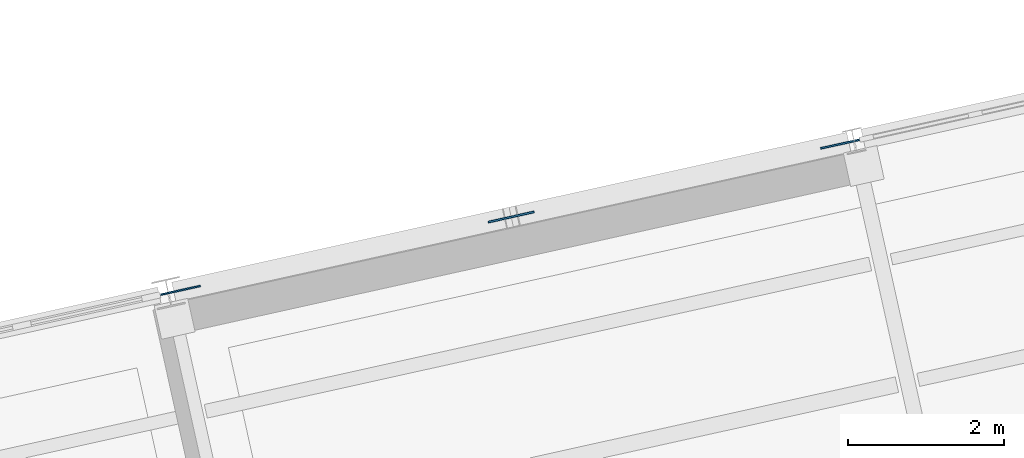
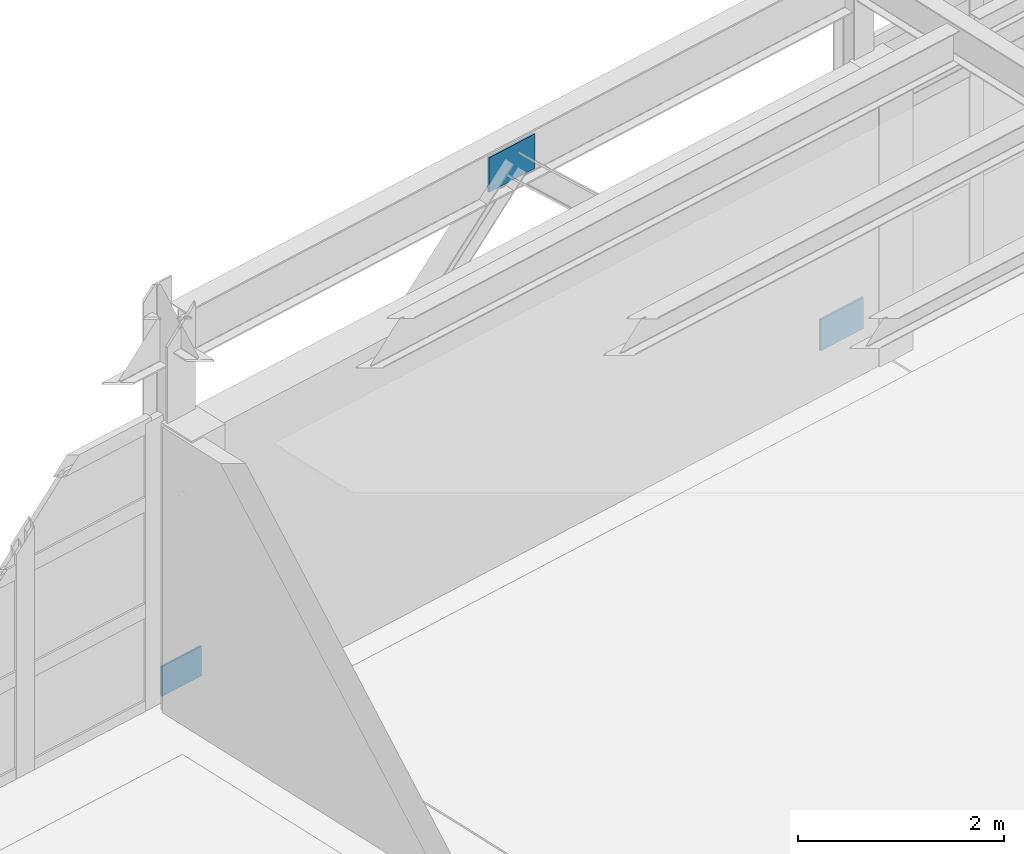
# One storey, part 89 of 109: 3 plates.
"""IFC4 building model written with IfcOpenShell, lengths in metres."""

from ifc_helpers import new_model, si_unit, direction, frame, origin, origin_2d, place, context, subcontext, project, spatial, rectangle, extrude, material, layer, layer_set, type_object, element, save


model = new_model("IFC4")

# Units and contexts
model_context = context("Model", 3, precision=1e-05, world=origin(), true_north=direction((0.0, 1.0)))
body_context = subcontext(model_context, "Body", "Model", "MODEL_VIEW")
ifc_project = project(units=[si_unit("LENGTHUNIT", "METRE"), si_unit("AREAUNIT", "SQUARE_METRE"), si_unit("VOLUMEUNIT", "CUBIC_METRE"), si_unit("PLANEANGLEUNIT", "RADIAN"), si_unit("MASSUNIT", "GRAM", prefix="KILO")], contexts=[model_context])

# Site, building, storey
site_placement = place(None, origin())
site = spatial("IfcSite", under=ifc_project, at=site_placement, CompositionType="ELEMENT")
building_placement = place(site_placement, origin())
building = spatial("IfcBuilding", under=site, at=building_placement, Name="Vireo Bluff Cable Station", CompositionType="ELEMENT")
storey_placement = place(building_placement, frame((0.0, 0.0, 4.800048828125)))
storey = spatial("IfcBuildingStorey", under=building, at=storey_placement, Name="L01", CompositionType="ELEMENT", Elevation=4.800048828125)

# Plates
ifc_material = material(Name="Steel ASTM A572 Gr. 50", Category="steel")
ifc_layer_1 = layer(ifc_material, 0.02099609375, Name="Steel ASTM A572 Gr. 50")
ifc_layer_set_1 = layer_set([ifc_layer_1], Name="Steel ASTM A572 Gr. 50")
plate_type_1 = type_object("IfcPlateType", Name="GUSSET-520X350X21", PredefinedType="USERDEFINED", material=ifc_layer_set_1)
plate_1_placement = place(storey_placement, frame((137.56103515625, 105.7548828125, 0.044921875), z_axis=(0.0, 0.0, 1.0), x_axis=(0.97629600712, 0.216439613938, 0.0)))
element("IfcPlate", 1, at=plate_1_placement, inside=storey, type_object=plate_type_1, Name="V2 L01 brace base gusset plate 92", ObjectType="GUSSET PLATE", PredefinedType="USERDEFINED", context=body_context, shape_type="SweptSolid", body=[
    extrude(rectangle(XDim=0.52001953125, YDim=0.02099609375, at=origin_2d()), origin(), (0.0, 0.0, 1.0), 0.35009765625),
])
ifc_layer_2 = layer(ifc_material, 0.02294921875, Name="Steel ASTM A572 Gr. 50")
ifc_layer_set_2 = layer_set([ifc_layer_2], Name="Steel ASTM A572 Gr. 50")
plate_type_2 = type_object("IfcPlateType", Name="GUSSET-560X370X23", PredefinedType="USERDEFINED", material=ifc_layer_set_2)
plate_2_placement = place(storey_placement, frame((146.03515625, 107.6337890625, 0.034912109375), z_axis=(0.0, 0.0, 1.0), x_axis=(0.97629600712, 0.216439613938, 0.0)))
element("IfcPlate", 2, at=plate_2_placement, inside=storey, type_object=plate_type_2, Name="V2 L01 brace base gusset plate 93", ObjectType="GUSSET PLATE", PredefinedType="USERDEFINED", context=body_context, shape_type="SweptSolid", body=[
    extrude(rectangle(XDim=0.56005859375, YDim=0.02294921875, at=origin_2d()), origin(), (0.0, 0.0, 1.0), 0.3701171875),
])
ifc_layer_3 = layer(ifc_material, 0.02490234375, Name="Steel ASTM A572 Gr. 50")
ifc_layer_set_3 = layer_set([ifc_layer_3], Name="Steel ASTM A572 Gr. 50")
plate_type_3 = type_object("IfcPlateType", Name="GUSSET-600X410X25", PredefinedType="USERDEFINED", material=ifc_layer_set_3)
plate_3_placement = place(storey_placement, frame((141.798095703125, 106.6943359375, 3.97509765625), z_axis=(0.0, 0.0, 1.0), x_axis=(0.97629600712, 0.216439613938, 0.0)))
element("IfcPlate", 3, at=plate_3_placement, inside=storey, type_object=plate_type_3, Name="V2 L01 chevron gusset plate 94", ObjectType="GUSSET PLATE", PredefinedType="USERDEFINED", context=body_context, shape_type="SweptSolid", body=[
    extrude(rectangle(XDim=0.60009765625, YDim=0.02490234375, at=origin_2d()), origin(), (0.0, 0.0, 1.0), 0.409912109375),
])

save(model, "model.ifc")
